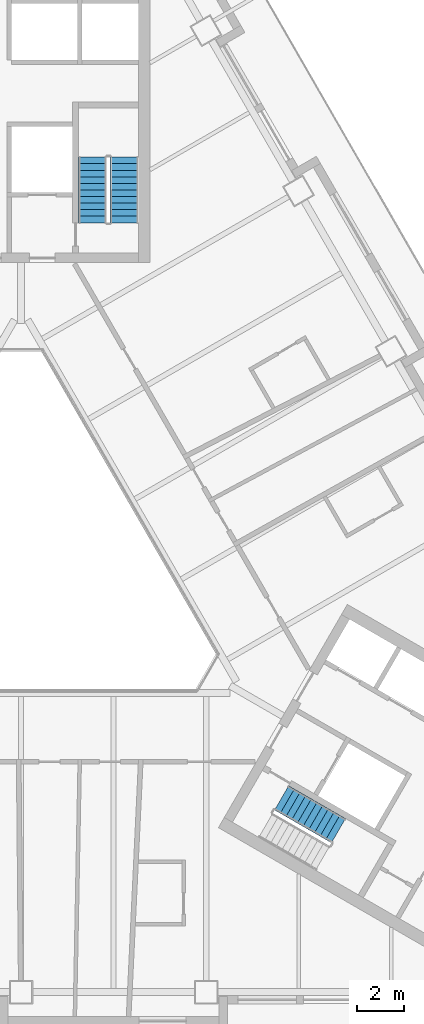
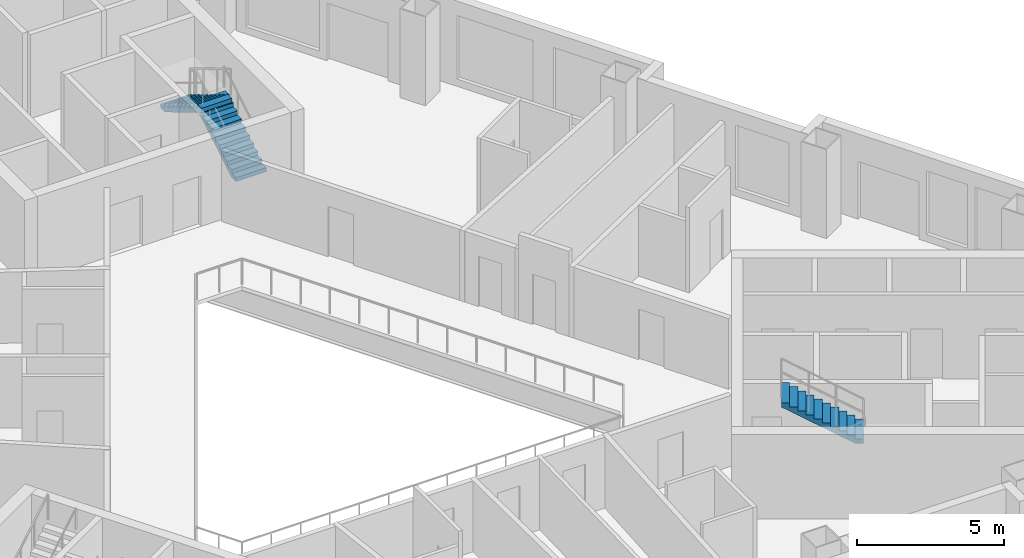
# One storey, part 8 of 14: 3 stair flights, 2 elements without a shape of their own.
"""IFC4 building model written with IfcOpenShell, lengths in metres."""

from ifc_helpers import new_model, si_unit, direction, frame, origin, place, context, subcontext, project, spatial, polyline, outline, extrude, material, type_object, element, aggregate, save


model = new_model("IFC4")

# Units and contexts
model_context = context("Model", 3, precision=1e-05, world=origin(), true_north=direction((0.0, 1.0)))
body_context = subcontext(model_context, "Body", "Model", "MODEL_VIEW")
ifc_project = project(units=[si_unit("LENGTHUNIT", "METRE"), si_unit("AREAUNIT", "SQUARE_METRE"), si_unit("VOLUMEUNIT", "CUBIC_METRE"), si_unit("PLANEANGLEUNIT", "RADIAN"), si_unit("MASSUNIT", "GRAM", prefix="KILO")], contexts=[model_context])

# Site, building, storey
site_placement = place(None, origin())
site = spatial("IfcSite", under=ifc_project, at=site_placement, CompositionType="ELEMENT")
building_placement = place(site_placement, origin())
building = spatial("IfcBuilding", under=site, at=building_placement, Name="Apuvela Tower Hotel", CompositionType="ELEMENT")
storey_placement = place(building_placement, frame((0.0, 0.0, 72.39990234375)))
storey = spatial("IfcBuildingStorey", under=building, at=storey_placement, Name="L15", CompositionType="ELEMENT", Elevation=72.39990234375)

# Stair, stair flights
ifc_material = material(Name="Concrete C50/60", Category="concrete")
stair_type = type_object("IfcStairType", Name="COR-STAIR-22R", PredefinedType="HALF_TURN_STAIR", material=ifc_material)
stair_1_placement = place(storey_placement, origin())
stair_1 = element("IfcStair", 1, at=stair_1_placement, inside=storey, type_object=stair_type, Name="L15 Exit stair ST1", PredefinedType="HALF_TURN_STAIR")
stair_flight_type = type_object("IfcStairFlightType", Name="COR-FLIGHT-11R", PredefinedType="STRAIGHT", material=ifc_material)
stair_flight_1_placement = place(storey_placement, frame((4.39990234375, 14.60009765625, 0.0), z_axis=(0.0, 0.0, 1.0), x_axis=(0.0, 1.0, 0.0)))
stair_flight_1 = element("IfcStairFlight", 2, at=stair_flight_1_placement, type_object=stair_flight_type, Name="ST1 flight 1", NumberOfRisers=11, NumberOfTreads=10, PredefinedType="STRAIGHT", RiserHeight=0.168181818, TreadLength=0.28, context=body_context, shape_type="SweptSolid", body=[
    extrude(outline(polyline([(0.0, 0.0), (0.0, 0.168212890625), (0.280029296875, 0.168212890625), (0.280029296875, 0.33642578125), (0.56005859375, 0.33642578125), (0.56005859375, 0.504638671875), (0.840087890625, 0.504638671875), (0.840087890625, 0.672607421875), (1.1201171875, 0.672607421875), (1.1201171875, 0.8408203125), (1.39990234375, 0.8408203125), (1.39990234375, 1.009033203125), (1.679931640625, 1.009033203125), (1.679931640625, 1.17724609375), (1.9599609375, 1.17724609375), (1.9599609375, 1.345458984375), (2.239990234375, 1.345458984375), (2.239990234375, 1.513671875), (2.52001953125, 1.513671875), (2.52001953125, 1.681884765625), (2.800048828125, 1.681884765625), (2.800048828125, 1.85009765625), (2.800048828125, 1.5068359375), (0.291015625, 0.0), (0.0, 0.0)])), frame((0.0, 0.60009765625, 0.0), z_axis=(0.0, -1.0, 0.0), x_axis=(1.0, 0.0, 0.0)), (0.0, 0.0, 1.0), 1.199951171875),
])
stair_flight_2_placement = place(storey_placement, frame((3.050048828125, 17.39990234375, 1.85009765625), z_axis=(0.0, 0.0, 1.0), x_axis=(0.0, -1.0, 0.0)))
stair_flight_2 = element("IfcStairFlight", 3, at=stair_flight_2_placement, type_object=stair_flight_type, Name="ST1 flight 2", NumberOfRisers=11, NumberOfTreads=10, PredefinedType="STRAIGHT", RiserHeight=0.168181818, TreadLength=0.28, context=body_context, shape_type="SweptSolid", body=[
    extrude(outline(polyline([(0.0, 0.0), (0.0, 0.168212890625), (0.280029296875, 0.168212890625), (0.280029296875, 0.33642578125), (0.56005859375, 0.33642578125), (0.56005859375, 0.504638671875), (0.840087890625, 0.504638671875), (0.840087890625, 0.672607421875), (1.1201171875, 0.672607421875), (1.1201171875, 0.8408203125), (1.39990234375, 0.8408203125), (1.39990234375, 1.009033203125), (1.679931640625, 1.009033203125), (1.679931640625, 1.17724609375), (1.9599609375, 1.17724609375), (1.9599609375, 1.345458984375), (2.239990234375, 1.345458984375), (2.239990234375, 1.513671875), (2.52001953125, 1.513671875), (2.52001953125, 1.681884765625), (2.800048828125, 1.681884765625), (2.800048828125, 1.85009765625), (2.800048828125, 1.5068359375), (0.291015625, 0.0), (0.0, 0.0)])), frame((0.0, 0.60009765625, 0.0), z_axis=(0.0, -1.0, 0.0), x_axis=(1.0, 0.0, 0.0)), (0.0, 0.0, 1.0), 1.199951171875),
])
aggregate(stair_1, [stair_flight_1, stair_flight_2])

# Stair, stair flight
stair_2_placement = place(storey_placement, origin())
stair_2 = element("IfcStair", 4, at=stair_2_placement, inside=storey, type_object=stair_type, Name="L15 Exit stair ST3", PredefinedType="HALF_TURN_STAIR")
stair_flight_3_placement = place(storey_placement, frame((13.5439453125, -11.34130859375, 1.85009765625), z_axis=(0.0, 0.0, 1.0), x_axis=(-0.866025403784, 0.5, 0.0)))
stair_flight_3 = element("IfcStairFlight", 5, at=stair_flight_3_placement, type_object=stair_flight_type, Name="ST3 flight 2", NumberOfRisers=11, NumberOfTreads=10, PredefinedType="STRAIGHT", RiserHeight=0.168181818, TreadLength=0.28, context=body_context, shape_type="SweptSolid", body=[
    extrude(outline(polyline([(0.0, 0.0), (0.0, 0.168212890625), (0.280029296875, 0.168212890625), (0.280029296875, 0.33642578125), (0.56005859375, 0.33642578125), (0.56005859375, 0.504638671875), (0.840087890625, 0.504638671875), (0.840087890625, 0.672607421875), (1.1201171875, 0.672607421875), (1.1201171875, 0.8408203125), (1.39990234375, 0.8408203125), (1.39990234375, 1.009033203125), (1.679931640625, 1.009033203125), (1.679931640625, 1.17724609375), (1.9599609375, 1.17724609375), (1.9599609375, 1.345458984375), (2.239990234375, 1.345458984375), (2.239990234375, 1.513671875), (2.52001953125, 1.513671875), (2.52001953125, 1.681884765625), (2.800048828125, 1.681884765625), (2.800048828125, 1.85009765625), (2.800048828125, 1.5068359375), (0.291015625, 0.0), (0.0, 0.0)])), frame((0.0, 0.60009765625, 0.0), z_axis=(0.0, -1.0, 0.0), x_axis=(1.0, 0.0, 0.0)), (0.0, 0.0, 1.0), 1.199951171875),
])
aggregate(stair_2, [stair_flight_3])

save(model, "model.ifc")
